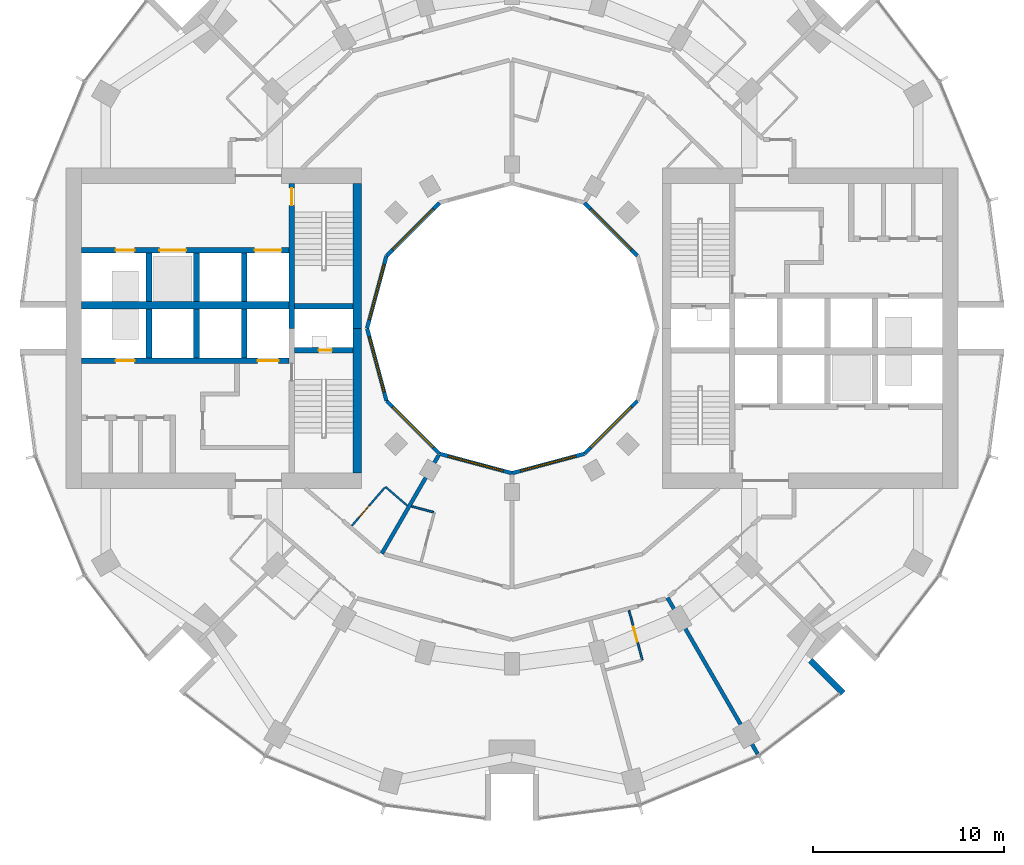
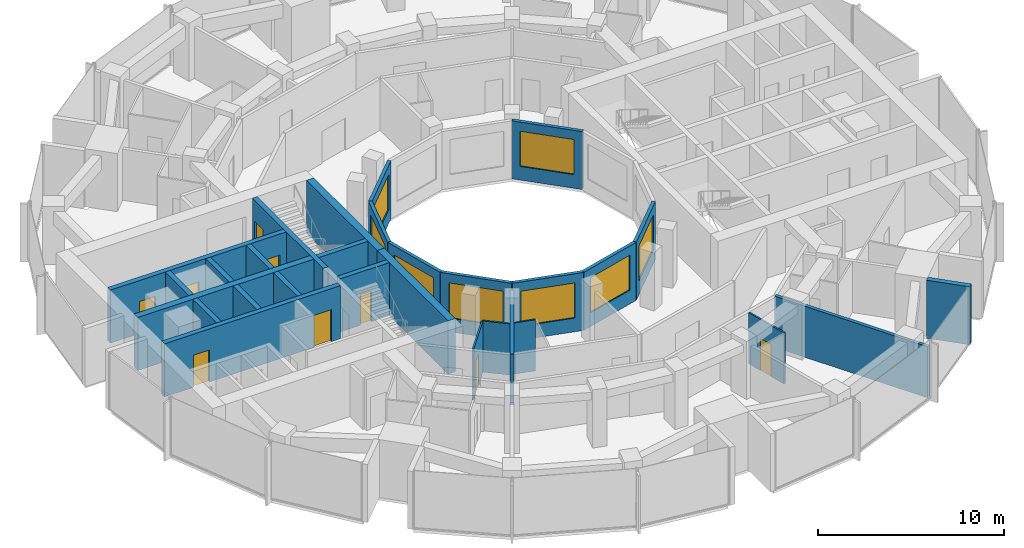
# One storey, part 9 of 15: 29 walls, 9 doors, 8 windows, 17 openings.
"""IFC4 building model written with IfcOpenShell, lengths in metres."""

from ifc_helpers import new_model, si_unit, direction, frame, frame_2d, origin, place, context, subcontext, project, spatial, rectangle, extrude, material, layer, layer_set, type_object, element, fill, save


model = new_model("IFC4")

# Units and contexts
model_context = context("Model", 3, precision=1e-05, world=origin(), true_north=direction((0.0, 1.0)))
body_context = subcontext(model_context, "Body", "Model", "MODEL_VIEW")
ifc_project = project(units=[si_unit("LENGTHUNIT", "METRE"), si_unit("AREAUNIT", "SQUARE_METRE"), si_unit("VOLUMEUNIT", "CUBIC_METRE"), si_unit("PLANEANGLEUNIT", "RADIAN"), si_unit("MASSUNIT", "GRAM", prefix="KILO")], contexts=[model_context])

# Site, building, storey
site_placement = place(None, origin())
site = spatial("IfcSite", under=ifc_project, at=site_placement, CompositionType="ELEMENT")
building_placement = place(site_placement, origin())
building = spatial("IfcBuilding", under=site, at=building_placement, Name="Torre Brocal", CompositionType="ELEMENT")
storey_placement = place(building_placement, frame((0.0, 0.0, 101.39990234375)))
storey = spatial("IfcBuildingStorey", under=building, at=storey_placement, Name="L23", CompositionType="ELEMENT", Elevation=101.39990234375)

# Wall, opening, door
ifc_material_1 = material(Name="Concrete C80", Category="concrete")
ifc_layer_1 = layer(ifc_material_1, 0.300048828125)
ifc_layer_set_1 = layer_set([ifc_layer_1], Name="Concrete C80")
wall_type_1 = type_object("IfcWallType", Name="CORE WALL 300 C80", PredefinedType="SHEAR", material=ifc_layer_set_1)
wall_1_placement = place(storey_placement, frame((68.449951171875, 82.60009765625, 0.0), z_axis=(0.0, 0.0, 1.0), x_axis=(0.0, -1.0, 0.0)))
wall_1 = element("IfcWall", 1, at=wall_1_placement, inside=storey, type_object=wall_type_1, Name="Wall CW300-80", PredefinedType="SHEAR", context=body_context, shape_type="SweptSolid", body=[
    extrude(rectangle(XDim=7.60009765625, YDim=0.300048828125, at=frame_2d((3.800048828125, 0.0))), origin(), (0.0, 0.0, 1.0), 3.47998046875),
])
opening_1_placement = place(wall_1_placement, frame((0.25, 0.0, 0.0)))
opening_1 = element("IfcOpeningElement", 2, at=opening_1_placement, cuts=wall_1, Name="Opening W-D03", PredefinedType="OPENING", context=body_context, shape_type="SweptSolid", body=[
    extrude(rectangle(XDim=0.89990234375, YDim=2.10009765625, at=frame_2d((0.449951171875, 1.050048828125))), frame((0.0, 0.159912109375, 0.0), z_axis=(0.0, -1.0, 0.0), x_axis=(1.0, 0.0, 0.0)), (0.0, 0.0, 1.0), 0.320068359375),
])
ifc_material_2 = material(Name="Steel A653", Category="steel")
door_type_1 = type_object("IfcDoorType", Name="STAIR DOOR FD120 900X2100", OperationType="SINGLE_SWING_RIGHT", PredefinedType="DOOR", material=ifc_material_2)
door_1_placement = place(opening_1_placement, origin())
door_1 = element("IfcDoor", 3, at=door_1_placement, inside=storey, type_object=door_type_1, Name="Door W-D03", OperationType="SINGLE_SWING_LEFT", OverallHeight=2.10009765625, OverallWidth=0.89990234375, PredefinedType="DOOR", context=body_context, shape_type="SweptSolid", body=[
    extrude(rectangle(XDim=0.89990234375, YDim=2.10009765625, at=frame_2d((0.449951171875, 1.050048828125))), frame((0.0, 0.02490234375, 0.0), z_axis=(0.0, -1.0, 0.0), x_axis=(1.0, 0.0, 0.0)), (0.0, 0.0, 1.0), 0.050048828125),
])
fill(opening_1, door_1)

wall_2_placement = place(storey_placement, frame((71.64990234375, 73.85009765625, 0.0), z_axis=(0.0, 0.0, 1.0), x_axis=(-1.0, 0.0, 0.0)))
wall_2 = element("IfcWall", 4, at=wall_2_placement, inside=storey, type_object=wall_type_1, Name="Wall CW300-80", PredefinedType="SHEAR", context=body_context, shape_type="SweptSolid", body=[
    extrude(rectangle(XDim=3.0498046875, YDim=0.300048828125, at=frame_2d((1.52490234375, 0.0))), origin(), (0.0, 0.0, 1.0), 3.47998046875),
])
opening_2_placement = place(wall_2_placement, frame((1.10009765625, 0.0, 0.0)))
opening_2 = element("IfcOpeningElement", 5, at=opening_2_placement, cuts=wall_2, Name="Opening W-D01", PredefinedType="OPENING", context=body_context, shape_type="SweptSolid", body=[
    extrude(rectangle(XDim=0.699951171875, YDim=2.0, at=frame_2d((0.35009765625, 1.0))), frame((0.0, 0.159912109375, 0.0), z_axis=(0.0, -1.0, 0.0), x_axis=(1.0, 0.0, 0.0)), (0.0, 0.0, 1.0), 0.320068359375),
])
ifc_material_3 = material(Name="Steel A653", Category="steel")
door_type_2 = type_object("IfcDoorType", Name="RISER DOOR FD120 700X2000", OperationType="SINGLE_SWING_LEFT", PredefinedType="DOOR", material=ifc_material_3)
door_2_placement = place(opening_2_placement, frame((0.699951171875, 0.0, 0.0), z_axis=(0.0, 0.0, 1.0), x_axis=(-1.0, 0.0, 0.0)))
door_2 = element("IfcDoor", 6, at=door_2_placement, inside=storey, type_object=door_type_2, Name="Door W-D01", OperationType="SINGLE_SWING_RIGHT", OverallHeight=2.0, OverallWidth=0.699951171875, PredefinedType="DOOR", context=body_context, shape_type="SweptSolid", body=[
    extrude(rectangle(XDim=0.699951171875, YDim=2.0, at=frame_2d((0.35009765625, 1.0))), frame((0.0, 0.02490234375, 0.0), z_axis=(0.0, -1.0, 0.0), x_axis=(1.0, 0.0, 0.0)), (0.0, 0.0, 1.0), 0.050048828125),
])
fill(opening_2, door_2)

# Wall
wall_3_placement = place(storey_placement, frame((71.64990234375, 76.14990234375, 0.0), z_axis=(0.0, 0.0, 1.0), x_axis=(-1.0, 0.0, 0.0)))
element("IfcWall", 7, at=wall_3_placement, inside=storey, type_object=wall_type_1, Name="Wall CW300-80", PredefinedType="SHEAR", context=body_context, shape_type="SweptSolid", body=[
    extrude(rectangle(XDim=3.0498046875, YDim=0.300048828125, at=frame_2d((1.52490234375, 0.0))), origin(), (0.0, 0.0, 1.0), 3.47998046875),
])

# Wall, openings, doors
wall_4_placement = place(storey_placement, frame((68.300048828125, 73.300048828125, 0.0), z_axis=(0.0, 0.0, 1.0), x_axis=(-1.0, 0.0, 0.0)))
wall_4 = element("IfcWall", 8, at=wall_4_placement, inside=storey, type_object=wall_type_1, Name="Wall CW300-80", PredefinedType="SHEAR", context=body_context, shape_type="SweptSolid", body=[
    extrude(rectangle(XDim=10.900146484375, YDim=0.300048828125, at=frame_2d((5.4501953125, 0.0))), origin(), (0.0, 0.0, 1.0), 3.47998046875),
])
opening_3_placement = place(wall_4_placement, frame((0.550048828125, 0.0, 0.0)))
opening_3 = element("IfcOpeningElement", 9, at=opening_3_placement, cuts=wall_4, Name="Opening LD", PredefinedType="OPENING", context=body_context, shape_type="SweptSolid", body=[
    extrude(rectangle(XDim=1.10009765625, YDim=2.10009765625, at=frame_2d((0.550048828125, 1.050048828125))), frame((0.0, 0.159912109375, 0.0), z_axis=(0.0, -1.0, 0.0), x_axis=(1.0, 0.0, 0.0)), (0.0, 0.0, 1.0), 0.320068359375),
])
opening_4_placement = place(wall_4_placement, frame((8.10009765625, 0.0, 0.0)))
opening_4 = element("IfcOpeningElement", 10, at=opening_4_placement, cuts=wall_4, Name="Opening LD10", PredefinedType="OPENING", context=body_context, shape_type="SweptSolid", body=[
    extrude(rectangle(XDim=1.0, YDim=2.10009765625, at=frame_2d((0.5, 1.050048828125))), frame((0.0, 0.159912109375, 0.0), z_axis=(0.0, -1.0, 0.0), x_axis=(1.0, 0.0, 0.0)), (0.0, 0.0, 1.0), 0.320068359375),
])
ifc_material_4 = material(Name="Stainless steel AISI 316", Category="steel")
door_type_3 = type_object("IfcDoorType", Name="LIFT LANDING DOOR 1000X2100", OperationType="DOUBLE_DOOR_SLIDING", PredefinedType="DOOR", material=ifc_material_4)
door_3_placement = place(opening_4_placement, origin())
door_3 = element("IfcDoor", 11, at=door_3_placement, inside=storey, type_object=door_type_3, Name="Door LD10", OperationType="DOUBLE_DOOR_SLIDING", OverallHeight=2.10009765625, OverallWidth=1.0, PredefinedType="DOOR", context=body_context, shape_type="SweptSolid", body=[
    extrude(rectangle(XDim=1.0, YDim=2.10009765625, at=frame_2d((0.5, 1.050048828125))), frame((0.0, 0.02490234375, 0.0), z_axis=(0.0, -1.0, 0.0), x_axis=(1.0, 0.0, 0.0)), (0.0, 0.0, 1.0), 0.050048828125),
])
fill(opening_4, door_3)
ifc_material_5 = material(Name="Stainless steel AISI 316", Category="steel")
door_type_4 = type_object("IfcDoorType", Name="LIFT LANDING DOOR 1100X2100", OperationType="DOUBLE_DOOR_SLIDING", PredefinedType="DOOR", material=ifc_material_5)
door_4_placement = place(opening_3_placement, origin())
door_4 = element("IfcDoor", 12, at=door_4_placement, inside=storey, type_object=door_type_4, Name="Door LD", OperationType="DOUBLE_DOOR_SLIDING", OverallHeight=2.10009765625, OverallWidth=1.10009765625, PredefinedType="DOOR", context=body_context, shape_type="SweptSolid", body=[
    extrude(rectangle(XDim=1.10009765625, YDim=2.10009765625, at=frame_2d((0.550048828125, 1.050048828125))), frame((0.0, 0.02490234375, 0.0), z_axis=(0.0, -1.0, 0.0), x_axis=(1.0, 0.0, 0.0)), (0.0, 0.0, 1.0), 0.050048828125),
])
fill(opening_3, door_4)

wall_5_placement = place(storey_placement, frame((68.300048828125, 79.10009765625, 0.0), z_axis=(0.0, 0.0, 1.0), x_axis=(-1.0, 0.0, 0.0)))
wall_5 = element("IfcWall", 13, at=wall_5_placement, inside=storey, type_object=wall_type_1, Name="Wall CW300-80", PredefinedType="SHEAR", context=body_context, shape_type="SweptSolid", body=[
    extrude(rectangle(XDim=10.900146484375, YDim=0.300048828125, at=frame_2d((5.4501953125, 0.0))), origin(), (0.0, 0.0, 1.0), 3.47998046875),
])
opening_5_placement = place(wall_5_placement, frame((0.39990234375, 0.0, 0.0)))
opening_5 = element("IfcOpeningElement", 14, at=opening_5_placement, cuts=wall_5, Name="Opening LD14", PredefinedType="OPENING", context=body_context, shape_type="SweptSolid", body=[
    extrude(rectangle(XDim=1.39990234375, YDim=2.10009765625, at=frame_2d((0.699951171875, 1.050048828125))), frame((0.0, 0.159912109375, 0.0), z_axis=(0.0, -1.0, 0.0), x_axis=(1.0, 0.0, 0.0)), (0.0, 0.0, 1.0), 0.320068359375),
])
opening_6_placement = place(wall_5_placement, frame((5.39990234375, 0.0, 0.0)))
opening_6 = element("IfcOpeningElement", 15, at=opening_6_placement, cuts=wall_5, Name="Opening LD14", PredefinedType="OPENING", context=body_context, shape_type="SweptSolid", body=[
    extrude(rectangle(XDim=1.39990234375, YDim=2.10009765625, at=frame_2d((0.699951171875, 1.050048828125))), frame((0.0, 0.159912109375, 0.0), z_axis=(0.0, -1.0, 0.0), x_axis=(1.0, 0.0, 0.0)), (0.0, 0.0, 1.0), 0.320068359375),
])
opening_7_placement = place(wall_5_placement, frame((8.10009765625, 0.0, 0.0)))
opening_7 = element("IfcOpeningElement", 16, at=opening_7_placement, cuts=wall_5, Name="Opening LD10", PredefinedType="OPENING", context=body_context, shape_type="SweptSolid", body=[
    extrude(rectangle(XDim=1.0, YDim=2.10009765625, at=frame_2d((0.5, 1.050048828125))), frame((0.0, 0.159912109375, 0.0), z_axis=(0.0, -1.0, 0.0), x_axis=(1.0, 0.0, 0.0)), (0.0, 0.0, 1.0), 0.320068359375),
])
door_5_placement = place(opening_7_placement, origin())
door_5 = element("IfcDoor", 17, at=door_5_placement, inside=storey, type_object=door_type_3, Name="Door LD10", OperationType="DOUBLE_DOOR_SLIDING", OverallHeight=2.10009765625, OverallWidth=1.0, PredefinedType="DOOR", context=body_context, shape_type="SweptSolid", body=[
    extrude(rectangle(XDim=1.0, YDim=2.10009765625, at=frame_2d((0.5, 1.050048828125))), frame((0.0, 0.02490234375, 0.0), z_axis=(0.0, -1.0, 0.0), x_axis=(1.0, 0.0, 0.0)), (0.0, 0.0, 1.0), 0.050048828125),
])
fill(opening_7, door_5)
ifc_material_6 = material(Name="Stainless steel AISI 316", Category="steel")
door_type_5 = type_object("IfcDoorType", Name="LIFT LANDING DOOR 1400X2100", OperationType="DOUBLE_DOOR_SLIDING", PredefinedType="DOOR", material=ifc_material_6)
door_6_placement = place(opening_5_placement, origin())
door_6 = element("IfcDoor", 18, at=door_6_placement, inside=storey, type_object=door_type_5, Name="Door LD14", OperationType="DOUBLE_DOOR_SLIDING", OverallHeight=2.10009765625, OverallWidth=1.39990234375, PredefinedType="DOOR", context=body_context, shape_type="SweptSolid", body=[
    extrude(rectangle(XDim=1.39990234375, YDim=2.10009765625, at=frame_2d((0.699951171875, 1.050048828125))), frame((0.0, 0.02490234375, 0.0), z_axis=(0.0, -1.0, 0.0), x_axis=(1.0, 0.0, 0.0)), (0.0, 0.0, 1.0), 0.050048828125),
])
fill(opening_5, door_6)
door_7_placement = place(opening_6_placement, origin())
door_7 = element("IfcDoor", 19, at=door_7_placement, inside=storey, type_object=door_type_5, Name="Door LD14", OperationType="DOUBLE_DOOR_SLIDING", OverallHeight=2.10009765625, OverallWidth=1.39990234375, PredefinedType="DOOR", context=body_context, shape_type="SweptSolid", body=[
    extrude(rectangle(XDim=1.39990234375, YDim=2.10009765625, at=frame_2d((0.699951171875, 1.050048828125))), frame((0.0, 0.02490234375, 0.0), z_axis=(0.0, -1.0, 0.0), x_axis=(1.0, 0.0, 0.0)), (0.0, 0.0, 1.0), 0.050048828125),
])
fill(opening_6, door_7)

# Walls
for number, where, z_axis, x_axis, name in (
    (20, (65.949951171875, 76.0, 0.0), (0.0, 0.0, 1.0), (0.0, -1.0, 0.0), "Wall CW300-80"),
    (21, (63.449951171875, 76.0, 0.0), (0.0, 0.0, 1.0), (0.0, -1.0, 0.0), "Wall CW300-80"),
    (22, (60.949951171875, 76.0, 0.0), (0.0, 0.0, 1.0), (0.0, -1.0, 0.0), "Wall CW300-80"),
    (23, (65.949951171875, 78.949951171875, 0.0), (0.0, 0.0, 1.0), (0.0, -1.0, 0.0), "Wall CW300-80"),
    (24, (63.449951171875, 78.949951171875, 0.0), (0.0, 0.0, 1.0), (0.0, -1.0, 0.0), "Wall CW300-80"),
    (25, (60.949951171875, 78.949951171875, 0.0), (0.0, 0.0, 1.0), (0.0, -1.0, 0.0), "Wall CW300-80"),
):
    element("IfcWall", number, at=place(storey_placement, frame(where, z_axis=z_axis, x_axis=x_axis)), inside=storey, type_object=wall_type_1, Name=name, PredefinedType="SHEAR", context=body_context, shape_type="SweptSolid", body=[
        extrude(rectangle(XDim=2.550048828125, YDim=0.300048828125, at=frame_2d((1.27490234375, 0.0))), origin(), (0.0, 0.0, 1.0), 3.47998046875),
    ])
ifc_material_7 = material(Name="Concrete C80", Category="concrete")
ifc_layer_2 = layer(ifc_material_7, 0.39990234375)
ifc_layer_set_2 = layer_set([ifc_layer_2], Name="Concrete C80")
wall_type_2 = type_object("IfcWallType", Name="CORE WALL 400 C80", PredefinedType="SHEAR", material=ifc_layer_set_2)
wall_6_placement = place(storey_placement, frame((68.300048828125, 76.199951171875, 0.0), z_axis=(0.0, 0.0, 1.0), x_axis=(-1.0, 0.0, 0.0)))
element("IfcWall", 26, at=wall_6_placement, inside=storey, type_object=wall_type_2, Name="Wall CW400-80", PredefinedType="SHEAR", context=body_context, shape_type="SweptSolid", body=[
    extrude(rectangle(XDim=10.900146484375, YDim=0.39990234375, at=frame_2d((5.4501953125, 0.0))), origin(), (0.0, 0.0, 1.0), 3.47998046875),
])
ifc_material_8 = material(Name="Concrete C80", Category="concrete")
ifc_layer_3 = layer(ifc_material_8, 0.449951171875)
ifc_layer_set_3 = layer_set([ifc_layer_3], Name="Concrete C80")
wall_type_3 = type_object("IfcWallType", Name="CORE WALL 450 C80", PredefinedType="SHEAR", material=ifc_layer_set_3)
for number, where, z_axis, x_axis, name in (
    (27, (71.875, 75.0, 0.0), (0.0, 0.0, 1.0), (0.0, -1.0, 0.0), "Wall CW450-80"),
    (28, (71.875, 82.60009765625, 0.0), (0.0, 0.0, 1.0), (0.0, -1.0, 0.0), "Wall CW450-80"),
):
    element("IfcWall", number, at=place(storey_placement, frame(where, z_axis=z_axis, x_axis=x_axis)), inside=storey, type_object=wall_type_3, Name=name, PredefinedType="SHEAR", context=body_context, shape_type="SweptSolid", body=[
        extrude(rectangle(XDim=7.60009765625, YDim=0.449951171875, at=frame_2d((3.800048828125, 0.0))), origin(), (0.0, 0.0, 1.0), 3.47998046875),
    ])
ifc_material_9 = material(Name="Concrete C80", Category="concrete")
ifc_layer_4 = layer(ifc_material_9, 0.300048828125)
ifc_layer_set_4 = layer_set([ifc_layer_4], Name="Concrete C80")
wall_type_4 = type_object("IfcWallType", Name="NOTCH RETURN WALL 300 C80", PredefinedType="NOTDEFINED", material=ifc_layer_set_4)
wall_7_placement = place(storey_placement, frame((95.662353515625, 57.56982421875, 0.0), z_axis=(0.0, 0.0, 1.0), x_axis=(0.707106781187, -0.707106781187, 0.0)))
element("IfcWall", 29, at=wall_7_placement, inside=storey, type_object=wall_type_4, Name="NOTCH RETURN WALL", PredefinedType="NOTDEFINED", context=body_context, shape_type="SweptSolid", body=[
    extrude(rectangle(XDim=2.415771484375, YDim=0.300048828125, at=frame_2d((1.2080078125, 0.0))), origin(), (0.0, 0.0, 1.0), 3.800048828125),
])

# Wall, opening, door
ifc_material_10 = material(Name="Gypsum board", Category="Gypsum")
ifc_layer_5 = layer(ifc_material_10, 0.10009765625)
ifc_layer_set_5 = layer_set([ifc_layer_5], Name="Gypsum board")
wall_type_5 = type_object("IfcWallType", Name="PARTITION 100", PredefinedType="PARTITIONING", material=ifc_layer_set_5)
wall_8_placement = place(storey_placement, frame((71.59619140625, 64.634765625, 0.0), z_axis=(0.0, 0.0, 1.0), x_axis=(0.652285007511, 0.757973791748, 0.0)))
wall_8 = element("IfcWall", 30, at=wall_8_placement, inside=storey, type_object=wall_type_5, Name="BATHROOM WALL", PredefinedType="PARTITIONING", context=body_context, shape_type="SweptSolid", body=[
    extrude(rectangle(XDim=2.649658203125, YDim=0.10009765625, at=frame_2d((1.32470703125, 0.0))), origin(), (0.0, 0.0, 1.0), 3.35009765625),
])
opening_8_placement = place(wall_8_placement, frame((0.599609375, 0.0, 0.0)))
opening_8 = element("IfcOpeningElement", 31, at=opening_8_placement, cuts=wall_8, Name="Opening H06-D34", PredefinedType="OPENING", context=body_context, shape_type="SweptSolid", body=[
    extrude(rectangle(XDim=0.800048828125, YDim=2.10009765625, at=frame_2d((0.39990234375, 1.050048828125))), frame((0.0, 0.06005859375, 0.0), z_axis=(0.0, -1.0, 0.0), x_axis=(1.0, 0.0, 0.0)), (0.0, 0.0, 1.0), 0.1201171875),
])
ifc_material_11 = material(Name="Timber", Category="wood")
door_type_6 = type_object("IfcDoorType", Name="BATHROOM DOOR 800X2100", OperationType="SINGLE_SWING_LEFT", PredefinedType="DOOR", material=ifc_material_11)
door_8_placement = place(opening_8_placement, frame((0.800048828125, 0.0, 0.0), z_axis=(0.0, 0.0, 1.0), x_axis=(-1.0, 0.0, 0.0)))
door_8 = element("IfcDoor", 32, at=door_8_placement, inside=storey, type_object=door_type_6, Name="H06-D34", OperationType="SINGLE_SWING_RIGHT", OverallHeight=2.10009765625, OverallWidth=0.800048828125, PredefinedType="DOOR", context=body_context, shape_type="SweptSolid", body=[
    extrude(rectangle(XDim=0.800048828125, YDim=2.10009765625, at=frame_2d((0.39990234375, 1.050048828125))), frame((0.0, 0.02490234375, 0.0), z_axis=(0.0, -1.0, 0.0), x_axis=(1.0, 0.0, 0.0)), (0.0, 0.0, 1.0), 0.050048828125),
])
fill(opening_8, door_8)

# Walls
wall_9_placement = place(storey_placement, frame((73.35693359375, 66.680908203125, 0.0), z_axis=(0.0, 0.0, 1.0), x_axis=(0.758263469747, -0.651948242154, 0.0)))
element("IfcWall", 33, at=wall_9_placement, inside=storey, type_object=wall_type_5, Name="BATHROOM WALL", PredefinedType="PARTITIONING", context=body_context, shape_type="SweptSolid", body=[
    extrude(rectangle(XDim=1.510986328125, YDim=0.10009765625, at=frame_2d((0.75537109375, 0.0))), origin(), (0.0, 0.0, 1.0), 3.35009765625),
])
wall_10_placement = place(storey_placement, frame((74.729248046875, 65.657470703125, 0.0), z_axis=(0.0, 0.0, 1.0), x_axis=(0.965948051503, -0.258736085224, 0.0)))
element("IfcWall", 34, at=wall_10_placement, inside=storey, type_object=wall_type_5, Name="BATHROOM WALL", PredefinedType="PARTITIONING", context=body_context, shape_type="SweptSolid", body=[
    extrude(rectangle(XDim=1.18896484375, YDim=0.10009765625, at=frame_2d((0.594482421875, 0.0))), origin(), (0.0, 0.0, 1.0), 3.35009765625),
])

# Wall, opening, door
wall_11_placement = place(storey_placement, frame((86.139892578125, 60.196044921875, 0.0), z_axis=(0.0, 0.0, 1.0), x_axis=(0.258945475746, -0.965891940432, 0.0)))
wall_11 = element("IfcWall", 35, at=wall_11_placement, inside=storey, type_object=wall_type_5, Name="BATHROOM WALL", PredefinedType="PARTITIONING", context=body_context, shape_type="SweptSolid", body=[
    extrude(rectangle(XDim=2.7001953125, YDim=0.10009765625, at=frame_2d((1.35009765625, 0.0))), origin(), (0.0, 0.0, 1.0), 3.35009765625),
])
opening_9_placement = place(wall_11_placement, frame((0.89990234375, 0.0, 0.0)))
opening_9 = element("IfcOpeningElement", 36, at=opening_9_placement, cuts=wall_11, Name="Opening H06-D24", PredefinedType="OPENING", context=body_context, shape_type="SweptSolid", body=[
    extrude(rectangle(XDim=0.800048828125, YDim=2.10009765625, at=frame_2d((0.39990234375, 1.050048828125))), frame((0.0, 0.06005859375, 0.0), z_axis=(0.0, -1.0, 0.0), x_axis=(1.0, 0.0, 0.0)), (0.0, 0.0, 1.0), 0.1201171875),
])
door_9_placement = place(opening_9_placement, frame((0.800048828125, 0.0, 0.0), z_axis=(0.0, 0.0, 1.0), x_axis=(-1.0, 0.0, 0.0)))
door_9 = element("IfcDoor", 37, at=door_9_placement, inside=storey, type_object=door_type_6, Name="H06-D24", OperationType="SINGLE_SWING_RIGHT", OverallHeight=2.10009765625, OverallWidth=0.800048828125, PredefinedType="DOOR", context=body_context, shape_type="SweptSolid", body=[
    extrude(rectangle(XDim=0.800048828125, YDim=2.10009765625, at=frame_2d((0.39990234375, 1.050048828125))), frame((0.0, 0.02490234375, 0.0), z_axis=(0.0, -1.0, 0.0), x_axis=(1.0, 0.0, 0.0)), (0.0, 0.0, 1.0), 0.050048828125),
])
fill(opening_9, door_9)

# Walls
ifc_material_12 = material(Name="Gypsum board", Category="Gypsum")
ifc_layer_6 = layer(ifc_material_12, 0.199951171875)
ifc_layer_set_6 = layer_set([ifc_layer_6], Name="Gypsum board")
wall_type_6 = type_object("IfcWallType", Name="PARTITION 200 EI60", PredefinedType="PARTITIONING", material=ifc_layer_set_6)
wall_12_placement = place(storey_placement, frame((73.1708984375, 63.17724609375, 0.0), z_axis=(0.0, 0.0, 1.0), x_axis=(0.500257106344, 0.865876912472, 0.0)))
element("IfcWall", 38, at=wall_12_placement, inside=storey, type_object=wall_type_6, Name="BATHROOM WALL", PredefinedType="PARTITIONING", context=body_context, shape_type="SweptSolid", body=[
    extrude(rectangle(XDim=5.954833984375, YDim=0.199951171875, at=frame_2d((2.9775390625, 0.0))), origin(), (0.0, 0.0, 1.0), 3.35009765625),
])
wall_13_placement = place(storey_placement, frame((88.158203125, 60.862060546875, 0.0), z_axis=(0.0, 0.0, 1.0), x_axis=(0.499916512745, -0.866073599808, 0.0)))
element("IfcWall", 39, at=wall_13_placement, inside=storey, type_object=wall_type_6, Name="PARTY PARTITION", PredefinedType="PARTITIONING", context=body_context, shape_type="SweptSolid", body=[
    extrude(rectangle(XDim=9.474609375, YDim=0.199951171875, at=frame_2d((4.7373046875, 0.0))), origin(), (0.0, 0.0, 1.0), 3.35009765625),
])

# Wall, opening, window
ifc_material_13 = material(Name="Concrete C40", Category="concrete")
ifc_layer_7 = layer(ifc_material_13, 0.199951171875)
ifc_layer_set_7 = layer_set([ifc_layer_7], Name="Concrete C40")
wall_type_7 = type_object("IfcWallType", Name="WELL FACADE WALL 200", PredefinedType="NOTDEFINED", material=ifc_layer_set_7)
wall_14_placement = place(storey_placement, frame((86.5849609375, 78.8017578125, 0.0), z_axis=(0.0, 0.0, 1.0), x_axis=(-0.707106781187, 0.707106781187, 0.0)))
wall_14 = element("IfcWall", 40, at=wall_14_placement, inside=storey, type_object=wall_type_7, Name="WELL FACADE WALL", PredefinedType="NOTDEFINED", context=body_context, shape_type="SweptSolid", body=[
    extrude(rectangle(XDim=3.93603515625, YDim=0.199951171875, at=frame_2d((1.968017578125, 0.0))), origin(), (0.0, 0.0, 1.0), 3.800048828125),
])
opening_10_placement = place(wall_14_placement, frame((0.468017578125, 0.0, 0.89990234375)))
opening_10 = element("IfcOpeningElement", 41, at=opening_10_placement, cuts=wall_14, Name="Opening W1", PredefinedType="OPENING", context=body_context, shape_type="SweptSolid", body=[
    extrude(rectangle(XDim=3.0, YDim=2.300048828125, at=frame_2d((1.5, 1.14990234375))), frame((0.0, 0.10986328125, 0.0), z_axis=(0.0, -1.0, 0.0), x_axis=(1.0, 0.0, 0.0)), (0.0, 0.0, 1.0), 0.219970703125),
])
ifc_material_14 = material(Name="Aluminium and glass", Category="aluminium")
window_type = type_object("IfcWindowType", Name="WELL WINDOW 3000X2300", PartitioningType="SINGLE_PANEL", PredefinedType="WINDOW", material=ifc_material_14)
window_1_placement = place(opening_10_placement, origin())
window_1 = element("IfcWindow", 42, at=window_1_placement, inside=storey, type_object=window_type, Name="WELL WINDOW 3000X2300", OverallHeight=2.300048828125, OverallWidth=3.0, PartitioningType="SINGLE_PANEL", PredefinedType="WINDOW", context=body_context, shape_type="SweptSolid", body=[
    extrude(rectangle(XDim=3.0, YDim=2.300048828125, at=frame_2d((1.5, 1.14990234375))), frame((0.0, 0.030029296875, 0.0), z_axis=(0.0, -1.0, 0.0), x_axis=(1.0, 0.0, 0.0)), (0.0, 0.0, 1.0), 0.06005859375),
])
fill(opening_10, window_1)

wall_15_placement = place(storey_placement, frame((76.1982421875, 81.5849609375, 0.0), z_axis=(0.0, 0.0, 1.0), x_axis=(-0.707106781187, -0.707106781187, 0.0)))
wall_15 = element("IfcWall", 43, at=wall_15_placement, inside=storey, type_object=wall_type_7, Name="WELL FACADE WALL", PredefinedType="NOTDEFINED", context=body_context, shape_type="SweptSolid", body=[
    extrude(rectangle(XDim=3.93603515625, YDim=0.199951171875, at=frame_2d((1.968017578125, 0.0))), origin(), (0.0, 0.0, 1.0), 3.800048828125),
])
opening_11_placement = place(wall_15_placement, frame((0.468017578125, 0.0, 0.89990234375)))
opening_11 = element("IfcOpeningElement", 44, at=opening_11_placement, cuts=wall_15, Name="Opening W1", PredefinedType="OPENING", context=body_context, shape_type="SweptSolid", body=[
    extrude(rectangle(XDim=3.0, YDim=2.300048828125, at=frame_2d((1.5, 1.14990234375))), frame((0.0, 0.10986328125, 0.0), z_axis=(0.0, -1.0, 0.0), x_axis=(1.0, 0.0, 0.0)), (0.0, 0.0, 1.0), 0.219970703125),
])
window_2_placement = place(opening_11_placement, origin())
window_2 = element("IfcWindow", 45, at=window_2_placement, inside=storey, type_object=window_type, Name="WELL WINDOW 3000X2300", OverallHeight=2.300048828125, OverallWidth=3.0, PartitioningType="SINGLE_PANEL", PredefinedType="WINDOW", context=body_context, shape_type="SweptSolid", body=[
    extrude(rectangle(XDim=3.0, YDim=2.300048828125, at=frame_2d((1.5, 1.14990234375))), frame((0.0, 0.030029296875, 0.0), z_axis=(0.0, -1.0, 0.0), x_axis=(1.0, 0.0, 0.0)), (0.0, 0.0, 1.0), 0.06005859375),
])
fill(opening_11, window_2)

wall_16_placement = place(storey_placement, frame((73.4150390625, 78.8017578125, 0.0), z_axis=(0.0, 0.0, 1.0), x_axis=(-0.258789828301, -0.965933654434, 0.0)))
wall_16 = element("IfcWall", 46, at=wall_16_placement, inside=storey, type_object=wall_type_7, Name="WELL FACADE WALL", PredefinedType="NOTDEFINED", context=body_context, shape_type="SweptSolid", body=[
    extrude(rectangle(XDim=3.935791015625, YDim=0.199951171875, at=frame_2d((1.9677734375, 0.0))), origin(), (0.0, 0.0, 1.0), 3.800048828125),
])
opening_12_placement = place(wall_16_placement, frame((0.468017578125, 0.0, 0.89990234375)))
opening_12 = element("IfcOpeningElement", 47, at=opening_12_placement, cuts=wall_16, Name="Opening W1", PredefinedType="OPENING", context=body_context, shape_type="SweptSolid", body=[
    extrude(rectangle(XDim=3.0, YDim=2.300048828125, at=frame_2d((1.5, 1.14990234375))), frame((0.0, 0.10986328125, 0.0), z_axis=(0.0, -1.0, 0.0), x_axis=(1.0, 0.0, 0.0)), (0.0, 0.0, 1.0), 0.219970703125),
])
window_3_placement = place(opening_12_placement, origin())
window_3 = element("IfcWindow", 48, at=window_3_placement, inside=storey, type_object=window_type, Name="WELL WINDOW 3000X2300", OverallHeight=2.300048828125, OverallWidth=3.0, PartitioningType="SINGLE_PANEL", PredefinedType="WINDOW", context=body_context, shape_type="SweptSolid", body=[
    extrude(rectangle(XDim=3.0, YDim=2.300048828125, at=frame_2d((1.5, 1.14990234375))), frame((0.0, 0.030029296875, 0.0), z_axis=(0.0, -1.0, 0.0), x_axis=(1.0, 0.0, 0.0)), (0.0, 0.0, 1.0), 0.06005859375),
])
fill(opening_12, window_3)

wall_17_placement = place(storey_placement, frame((72.396484375, 75.0, 0.0), z_axis=(0.0, 0.0, 1.0), x_axis=(0.258789828301, -0.965933654434, 0.0)))
wall_17 = element("IfcWall", 49, at=wall_17_placement, inside=storey, type_object=wall_type_7, Name="WELL FACADE WALL", PredefinedType="NOTDEFINED", context=body_context, shape_type="SweptSolid", body=[
    extrude(rectangle(XDim=3.935791015625, YDim=0.199951171875, at=frame_2d((1.9677734375, 0.0))), origin(), (0.0, 0.0, 1.0), 3.800048828125),
])
opening_13_placement = place(wall_17_placement, frame((0.468017578125, 0.0, 0.89990234375)))
opening_13 = element("IfcOpeningElement", 50, at=opening_13_placement, cuts=wall_17, Name="Opening W1", PredefinedType="OPENING", context=body_context, shape_type="SweptSolid", body=[
    extrude(rectangle(XDim=3.0, YDim=2.300048828125, at=frame_2d((1.5, 1.14990234375))), frame((0.0, 0.10986328125, 0.0), z_axis=(0.0, -1.0, 0.0), x_axis=(1.0, 0.0, 0.0)), (0.0, 0.0, 1.0), 0.219970703125),
])
window_4_placement = place(opening_13_placement, origin())
window_4 = element("IfcWindow", 51, at=window_4_placement, inside=storey, type_object=window_type, Name="WELL WINDOW 3000X2300", OverallHeight=2.300048828125, OverallWidth=3.0, PartitioningType="SINGLE_PANEL", PredefinedType="WINDOW", context=body_context, shape_type="SweptSolid", body=[
    extrude(rectangle(XDim=3.0, YDim=2.300048828125, at=frame_2d((1.5, 1.14990234375))), frame((0.0, 0.030029296875, 0.0), z_axis=(0.0, -1.0, 0.0), x_axis=(1.0, 0.0, 0.0)), (0.0, 0.0, 1.0), 0.06005859375),
])
fill(opening_13, window_4)

wall_18_placement = place(storey_placement, frame((73.4150390625, 71.1982421875, 0.0), z_axis=(0.0, 0.0, 1.0), x_axis=(0.707106781187, -0.707106781187, 0.0)))
wall_18 = element("IfcWall", 52, at=wall_18_placement, inside=storey, type_object=wall_type_7, Name="WELL FACADE WALL", PredefinedType="NOTDEFINED", context=body_context, shape_type="SweptSolid", body=[
    extrude(rectangle(XDim=3.93603515625, YDim=0.199951171875, at=frame_2d((1.968017578125, 0.0))), origin(), (0.0, 0.0, 1.0), 3.800048828125),
])
opening_14_placement = place(wall_18_placement, frame((0.468017578125, 0.0, 0.89990234375)))
opening_14 = element("IfcOpeningElement", 53, at=opening_14_placement, cuts=wall_18, Name="Opening W1", PredefinedType="OPENING", context=body_context, shape_type="SweptSolid", body=[
    extrude(rectangle(XDim=3.0, YDim=2.300048828125, at=frame_2d((1.5, 1.14990234375))), frame((0.0, 0.10986328125, 0.0), z_axis=(0.0, -1.0, 0.0), x_axis=(1.0, 0.0, 0.0)), (0.0, 0.0, 1.0), 0.219970703125),
])
window_5_placement = place(opening_14_placement, origin())
window_5 = element("IfcWindow", 54, at=window_5_placement, inside=storey, type_object=window_type, Name="WELL WINDOW 3000X2300", OverallHeight=2.300048828125, OverallWidth=3.0, PartitioningType="SINGLE_PANEL", PredefinedType="WINDOW", context=body_context, shape_type="SweptSolid", body=[
    extrude(rectangle(XDim=3.0, YDim=2.300048828125, at=frame_2d((1.5, 1.14990234375))), frame((0.0, 0.030029296875, 0.0), z_axis=(0.0, -1.0, 0.0), x_axis=(1.0, 0.0, 0.0)), (0.0, 0.0, 1.0), 0.06005859375),
])
fill(opening_14, window_5)

wall_19_placement = place(storey_placement, frame((76.1982421875, 68.4150390625, 0.0), z_axis=(0.0, 0.0, 1.0), x_axis=(0.965933654434, -0.258789828301, 0.0)))
wall_19 = element("IfcWall", 55, at=wall_19_placement, inside=storey, type_object=wall_type_7, Name="WELL FACADE WALL", PredefinedType="NOTDEFINED", context=body_context, shape_type="SweptSolid", body=[
    extrude(rectangle(XDim=3.935791015625, YDim=0.199951171875, at=frame_2d((1.9677734375, 0.0))), origin(), (0.0, 0.0, 1.0), 3.800048828125),
])
opening_15_placement = place(wall_19_placement, frame((0.468017578125, 0.0, 0.89990234375)))
opening_15 = element("IfcOpeningElement", 56, at=opening_15_placement, cuts=wall_19, Name="Opening W1", PredefinedType="OPENING", context=body_context, shape_type="SweptSolid", body=[
    extrude(rectangle(XDim=3.0, YDim=2.300048828125, at=frame_2d((1.5, 1.14990234375))), frame((0.0, 0.10986328125, 0.0), z_axis=(0.0, -1.0, 0.0), x_axis=(1.0, 0.0, 0.0)), (0.0, 0.0, 1.0), 0.219970703125),
])
window_6_placement = place(opening_15_placement, origin())
window_6 = element("IfcWindow", 57, at=window_6_placement, inside=storey, type_object=window_type, Name="WELL WINDOW 3000X2300", OverallHeight=2.300048828125, OverallWidth=3.0, PartitioningType="SINGLE_PANEL", PredefinedType="WINDOW", context=body_context, shape_type="SweptSolid", body=[
    extrude(rectangle(XDim=3.0, YDim=2.300048828125, at=frame_2d((1.5, 1.14990234375))), frame((0.0, 0.030029296875, 0.0), z_axis=(0.0, -1.0, 0.0), x_axis=(1.0, 0.0, 0.0)), (0.0, 0.0, 1.0), 0.06005859375),
])
fill(opening_15, window_6)

wall_20_placement = place(storey_placement, frame((80.0, 67.396484375, 0.0), z_axis=(0.0, 0.0, 1.0), x_axis=(0.965933654434, 0.258789828301, 0.0)))
wall_20 = element("IfcWall", 58, at=wall_20_placement, inside=storey, type_object=wall_type_7, Name="WELL FACADE WALL", PredefinedType="NOTDEFINED", context=body_context, shape_type="SweptSolid", body=[
    extrude(rectangle(XDim=3.935791015625, YDim=0.199951171875, at=frame_2d((1.9677734375, 0.0))), origin(), (0.0, 0.0, 1.0), 3.800048828125),
])
opening_16_placement = place(wall_20_placement, frame((0.468017578125, 0.0, 0.89990234375)))
opening_16 = element("IfcOpeningElement", 59, at=opening_16_placement, cuts=wall_20, Name="Opening W1", PredefinedType="OPENING", context=body_context, shape_type="SweptSolid", body=[
    extrude(rectangle(XDim=3.0, YDim=2.300048828125, at=frame_2d((1.5, 1.14990234375))), frame((0.0, 0.10986328125, 0.0), z_axis=(0.0, -1.0, 0.0), x_axis=(1.0, 0.0, 0.0)), (0.0, 0.0, 1.0), 0.219970703125),
])
window_7_placement = place(opening_16_placement, origin())
window_7 = element("IfcWindow", 60, at=window_7_placement, inside=storey, type_object=window_type, Name="WELL WINDOW 3000X2300", OverallHeight=2.300048828125, OverallWidth=3.0, PartitioningType="SINGLE_PANEL", PredefinedType="WINDOW", context=body_context, shape_type="SweptSolid", body=[
    extrude(rectangle(XDim=3.0, YDim=2.300048828125, at=frame_2d((1.5, 1.14990234375))), frame((0.0, 0.030029296875, 0.0), z_axis=(0.0, -1.0, 0.0), x_axis=(1.0, 0.0, 0.0)), (0.0, 0.0, 1.0), 0.06005859375),
])
fill(opening_16, window_7)

wall_21_placement = place(storey_placement, frame((83.8017578125, 68.4150390625, 0.0), z_axis=(0.0, 0.0, 1.0), x_axis=(0.707106781187, 0.707106781187, 0.0)))
wall_21 = element("IfcWall", 61, at=wall_21_placement, inside=storey, type_object=wall_type_7, Name="WELL FACADE WALL", PredefinedType="NOTDEFINED", context=body_context, shape_type="SweptSolid", body=[
    extrude(rectangle(XDim=3.93603515625, YDim=0.199951171875, at=frame_2d((1.968017578125, 0.0))), origin(), (0.0, 0.0, 1.0), 3.800048828125),
])
opening_17_placement = place(wall_21_placement, frame((0.468017578125, 0.0, 0.89990234375)))
opening_17 = element("IfcOpeningElement", 62, at=opening_17_placement, cuts=wall_21, Name="Opening W1", PredefinedType="OPENING", context=body_context, shape_type="SweptSolid", body=[
    extrude(rectangle(XDim=3.0, YDim=2.300048828125, at=frame_2d((1.5, 1.14990234375))), frame((0.0, 0.10986328125, 0.0), z_axis=(0.0, -1.0, 0.0), x_axis=(1.0, 0.0, 0.0)), (0.0, 0.0, 1.0), 0.219970703125),
])
window_8_placement = place(opening_17_placement, origin())
window_8 = element("IfcWindow", 63, at=window_8_placement, inside=storey, type_object=window_type, Name="WELL WINDOW 3000X2300", OverallHeight=2.300048828125, OverallWidth=3.0, PartitioningType="SINGLE_PANEL", PredefinedType="WINDOW", context=body_context, shape_type="SweptSolid", body=[
    extrude(rectangle(XDim=3.0, YDim=2.300048828125, at=frame_2d((1.5, 1.14990234375))), frame((0.0, 0.030029296875, 0.0), z_axis=(0.0, -1.0, 0.0), x_axis=(1.0, 0.0, 0.0)), (0.0, 0.0, 1.0), 0.06005859375),
])
fill(opening_17, window_8)

save(model, "model.ifc")
